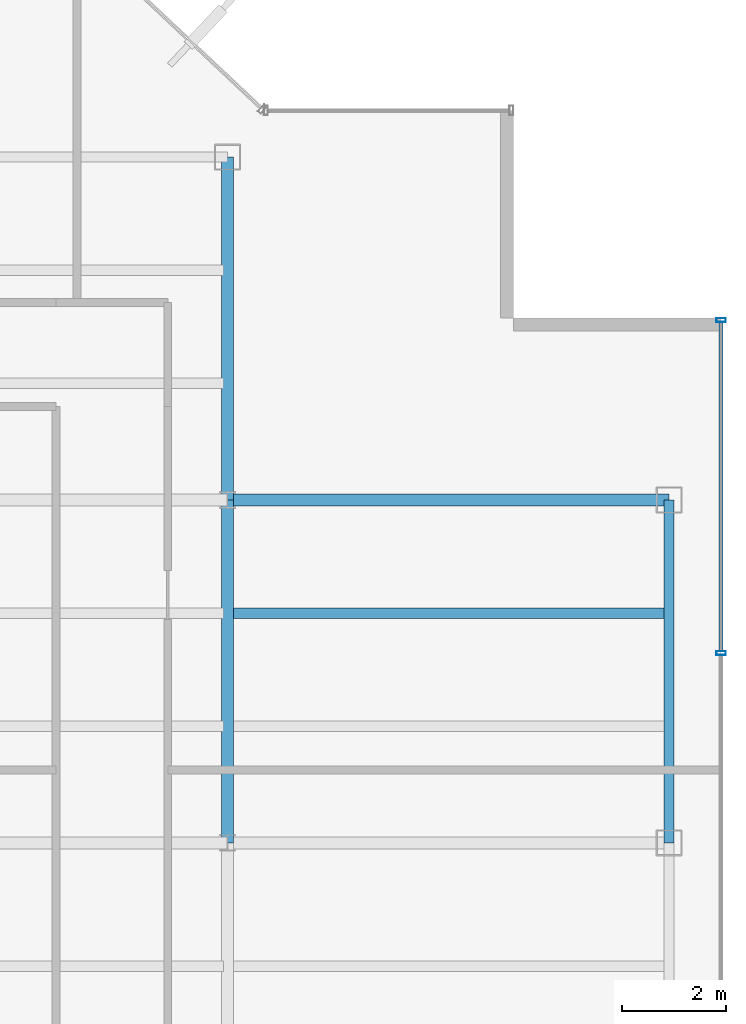
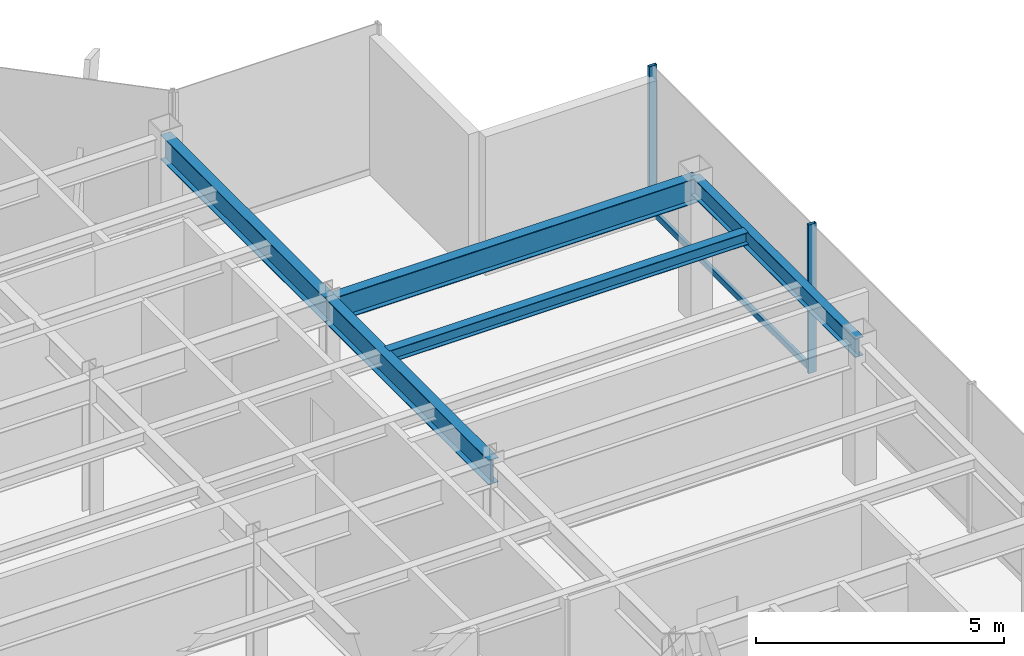
# One storey, part 11 of 22: 5 beams, 3 members, 1 element without a shape of its own.
"""IFC4 building model written with IfcOpenShell, lengths in metres."""

from ifc_helpers import new_model, si_unit, derived_unit, direction, frame, origin, origin_2d, place, context, subcontext, project, spatial, hollow_rectangle, i_section, extrude, source, transform, mapped, material, material_profile, profile_set, type_object, element, aggregate, save


model = new_model("IFC4")

# Units and contexts
model_context = context("Model", 3, precision=1e-05, world=origin(), true_north=direction((0.0, 1.0)))
body_context = subcontext(model_context, "Body", "Model", "MODEL_VIEW")
ifc_project = project(units=[si_unit("LENGTHUNIT", "METRE"), si_unit("AREAUNIT", "SQUARE_METRE"), si_unit("VOLUMEUNIT", "CUBIC_METRE"), si_unit("PLANEANGLEUNIT", "RADIAN"), si_unit("MASSUNIT", "GRAM", prefix="KILO"), derived_unit("THERMALTRANSMITTANCEUNIT", [(si_unit("POWERUNIT", "WATT"), 1), (si_unit("LENGTHUNIT", "METRE"), -2), (si_unit("THERMODYNAMICTEMPERATUREUNIT", "KELVIN"), -1)])], contexts=[model_context])

# Site, building, storey
site_placement = place(None, origin())
site = spatial("IfcSite", under=ifc_project, at=site_placement, CompositionType="ELEMENT")
building_placement = place(site_placement, origin())
building = spatial("IfcBuilding", under=site, at=building_placement, Name="Skarnbrae Concourse Arena and Tower", CompositionType="ELEMENT")
storey_placement = place(building_placement, frame((0.0, 0.0, 269.75)))
storey = spatial("IfcBuildingStorey", under=building, at=storey_placement, Name="L70", CompositionType="ELEMENT", Elevation=269.75)

# Beams
ifc_material_1 = material(Name="Steel CSA G40.21 350W", Category="steel")
ifc_material_profile_1 = material_profile(ifc_material_1, i_section(OverallWidth=0.22802734375, OverallDepth=0.60791015625, WebThickness=0.01123046875, FlangeThickness=0.017333984375, at=origin_2d()), Name="W610X113")
ifc_profile_set_1 = profile_set([ifc_material_profile_1], Name="Steel CSA G40.21 350W")
beam_type_1 = type_object("IfcBeamType", Name="BM-GIRD-W610X113", PredefinedType="BEAM", material=ifc_profile_set_1)
shared_shape_1 = source(origin(), body_context, "Body", "SweptSolid", [
    extrude(i_section(OverallWidth=0.22802734375, OverallDepth=0.60791015625, WebThickness=0.01123046875, FlangeThickness=0.017333984375, at=origin_2d()), origin(), (0.0, 0.0, 1.0), 6.60009765625),
])
beam_1_placement = place(storey_placement, frame((33.5, 21.199951171875, 3.095947265625), z_axis=(0.0, 1.0, 0.0), x_axis=(-1.0, 0.0, 0.0)))
element("IfcBeam", 1, at=beam_1_placement, inside=storey, type_object=beam_type_1, Name="L70 Primary N-S girder X33.5-2", PredefinedType="BEAM", context=body_context, shape_type="MappedRepresentation", body=[
    mapped(shared_shape_1, transform((0.0, 0.0, 0.0))),
])
shared_shape_2 = source(origin(), body_context, "Body", "SweptSolid", [
    extrude(i_section(OverallWidth=0.22802734375, OverallDepth=0.60791015625, WebThickness=0.01123046875, FlangeThickness=0.017333984375, at=origin_2d()), origin(), (0.0, 0.0, 1.0), 8.5),
])
beam_2_placement = place(storey_placement, frame((33.5, 27.800048828125, 3.095947265625), z_axis=(1.0, 0.0, 0.0), x_axis=(0.0, 1.0, 0.0)))
element("IfcBeam", 2, at=beam_2_placement, inside=storey, type_object=beam_type_1, Name="L70 Primary E-W girder Y27.8-6", PredefinedType="BEAM", context=body_context, shape_type="MappedRepresentation", body=[
    mapped(shared_shape_2, transform((0.0, 0.0, 0.0))),
])
ifc_material_profile_2 = material_profile(ifc_material_1, i_section(OverallWidth=0.19091796875, OverallDepth=0.4599609375, WebThickness=0.010009765625, FlangeThickness=0.01611328125, at=origin_2d()), Name="W460X82")
ifc_profile_set_2 = profile_set([ifc_material_profile_2], Name="Steel CSA G40.21 350W")
beam_type_2 = type_object("IfcBeamType", Name="BM-SPAN-W460X82", PredefinedType="SPANDREL", material=ifc_profile_set_2)
shared_shape_3 = source(origin(), body_context, "Body", "SweptSolid", [
    extrude(i_section(OverallWidth=0.19091796875, OverallDepth=0.4599609375, WebThickness=0.010009765625, FlangeThickness=0.01611328125, at=origin_2d()), origin(), (0.0, 0.0, 1.0), 6.60009765625),
])
beam_3_placement = place(storey_placement, frame((42.0, 21.199951171875, 3.169921875), z_axis=(0.0, 1.0, 0.0), x_axis=(-1.0, 0.0, 0.0)))
element("IfcBeam", 3, at=beam_3_placement, inside=storey, type_object=beam_type_2, Name="L70 Perimeter spandrel X42.0-3", PredefinedType="SPANDREL", context=body_context, shape_type="MappedRepresentation", body=[
    mapped(shared_shape_3, transform((0.0, 0.0, 0.0))),
])
shared_shape_4 = source(origin(), body_context, "Body", "SweptSolid", [
    extrude(i_section(OverallWidth=0.22802734375, OverallDepth=0.60791015625, WebThickness=0.01123046875, FlangeThickness=0.017333984375, at=origin_2d()), origin(), (0.0, 0.0, 1.0), 6.599853515625),
])
beam_4_placement = place(storey_placement, frame((33.5, 27.800048828125, 3.095947265625), z_axis=(0.0, 1.0, 0.0), x_axis=(-1.0, 0.0, 0.0)))
element("IfcBeam", 4, at=beam_4_placement, inside=storey, type_object=beam_type_1, Name="L70 Primary N-S girder X33.5-3", PredefinedType="BEAM", context=body_context, shape_type="MappedRepresentation", body=[
    mapped(shared_shape_4, transform((0.0, 0.0, 0.0))),
])
ifc_material_profile_3 = material_profile(ifc_material_1, i_section(OverallWidth=0.202880859375, OverallDepth=0.302978515625, WebThickness=0.007568359375, FlangeThickness=0.01318359375, at=origin_2d()), Name="W310X60")
ifc_profile_set_3 = profile_set([ifc_material_profile_3], Name="Steel CSA G40.21 350W")
beam_type_3 = type_object("IfcBeamType", Name="BM-JOIST-W310X60", PredefinedType="JOIST", material=ifc_profile_set_3)
shared_shape_5 = source(origin(), body_context, "Body", "SweptSolid", [
    extrude(i_section(OverallWidth=0.202880859375, OverallDepth=0.302978515625, WebThickness=0.007568359375, FlangeThickness=0.01318359375, at=origin_2d()), origin(), (0.0, 0.0, 1.0), 8.33984375),
])
beam_5_placement = place(storey_placement, frame((33.580078125, 25.6220703125, 3.24853515625), z_axis=(1.0, 0.0, 0.0), x_axis=(0.0, 1.0, 0.0)))
element("IfcBeam", 5, at=beam_5_placement, inside=storey, type_object=beam_type_3, Name="L70 Secondary floor joist 2.2.6", PredefinedType="JOIST", context=body_context, shape_type="MappedRepresentation", body=[
    mapped(shared_shape_5, transform((0.0, 0.0, 0.0))),
])

# Curtain wall, members
ifc_material_2 = material(Name="Bronze anodised aluminium 6063-T6", Category="aluminium")
curtain_wall_type = type_object("IfcCurtainWallType", Name="CW-SYS-05-HIGHZONE", PredefinedType="USERDEFINED", material=ifc_material_2)
curtain_wall_placement = place(storey_placement, origin())
curtain_wall = element("IfcCurtainWall", 6, at=curtain_wall_placement, inside=storey, type_object=curtain_wall_type, Name="L70 Unitised curtain wall CW-L70-E04", ObjectType="UNITISED CURTAIN WALL", PredefinedType="USERDEFINED")
ifc_material_profile_4 = material_profile(ifc_material_2, hollow_rectangle(XDim=0.074951171875, YDim=0.179931640625, WallThickness=0.00390625, at=origin_2d()), Name="ALU-MULL-75X180")
ifc_profile_set_4 = profile_set([ifc_material_profile_4], Name="Bronze anodised aluminium 6063-T6")
member_type_1 = type_object("IfcMemberType", Name="CWM-CW-05", PredefinedType="MULLION", material=ifc_profile_set_4)
shared_shape_6 = source(origin(), body_context, "Body", "SweptSolid", [
    extrude(hollow_rectangle(XDim=0.074951171875, YDim=0.179931640625, WallThickness=0.00390625, at=origin_2d()), origin(), (0.0, 0.0, 1.0), 3.64990234375),
])
member_1_placement = place(storey_placement, frame((43.0, 24.85009765625, 0.0), z_axis=(0.0, 0.0, 1.0), x_axis=(0.0, 1.0, 0.0)))
member_1 = element("IfcMember", 7, at=member_1_placement, type_object=member_type_1, Name="CW-L70-E04 Mullion 4", PredefinedType="MULLION", context=body_context, shape_type="MappedRepresentation", body=[
    mapped(shared_shape_6, transform((0.0, 0.0, 0.0))),
])
member_2_placement = place(storey_placement, frame((43.0, 31.262451171875, 0.0), z_axis=(0.0, 0.0, 1.0), x_axis=(0.0, 1.0, 0.0)))
member_2 = element("IfcMember", 8, at=member_2_placement, type_object=member_type_1, Name="CW-L70-E04 Mullion 5", PredefinedType="MULLION", context=body_context, shape_type="MappedRepresentation", body=[
    mapped(shared_shape_6, transform((0.0, 0.0, 0.0))),
])
ifc_material_profile_5 = material_profile(ifc_material_2, hollow_rectangle(XDim=0.074951171875, YDim=0.14990234375, WallThickness=0.00390625, at=origin_2d()), Name="ALU-TRAN-75X150")
ifc_profile_set_5 = profile_set([ifc_material_profile_5], Name="Bronze anodised aluminium 6063-T6")
member_type_2 = type_object("IfcMemberType", Name="CWT-CW-05", PredefinedType="USERDEFINED", material=ifc_profile_set_5)
shared_shape_7 = source(origin(), body_context, "Body", "SweptSolid", [
    extrude(hollow_rectangle(XDim=0.074951171875, YDim=0.14990234375, WallThickness=0.00390625, at=origin_2d()), origin(), (0.0, 0.0, 1.0), 6.337646484375),
])
member_3_placement = place(storey_placement, frame((43.0, 24.887451171875, 0.074951171875), z_axis=(0.0, 1.0, 0.0), x_axis=(-1.0, 0.0, 0.0)))
member_3 = element("IfcMember", 9, at=member_3_placement, type_object=member_type_2, Name="CW-L70-E04 Transom 4", ObjectType="TRANSOM", PredefinedType="USERDEFINED", context=body_context, shape_type="MappedRepresentation", body=[
    mapped(shared_shape_7, transform((0.0, 0.0, 0.0))),
])
aggregate(curtain_wall, [member_1, member_2, member_3])

save(model, "model.ifc")
